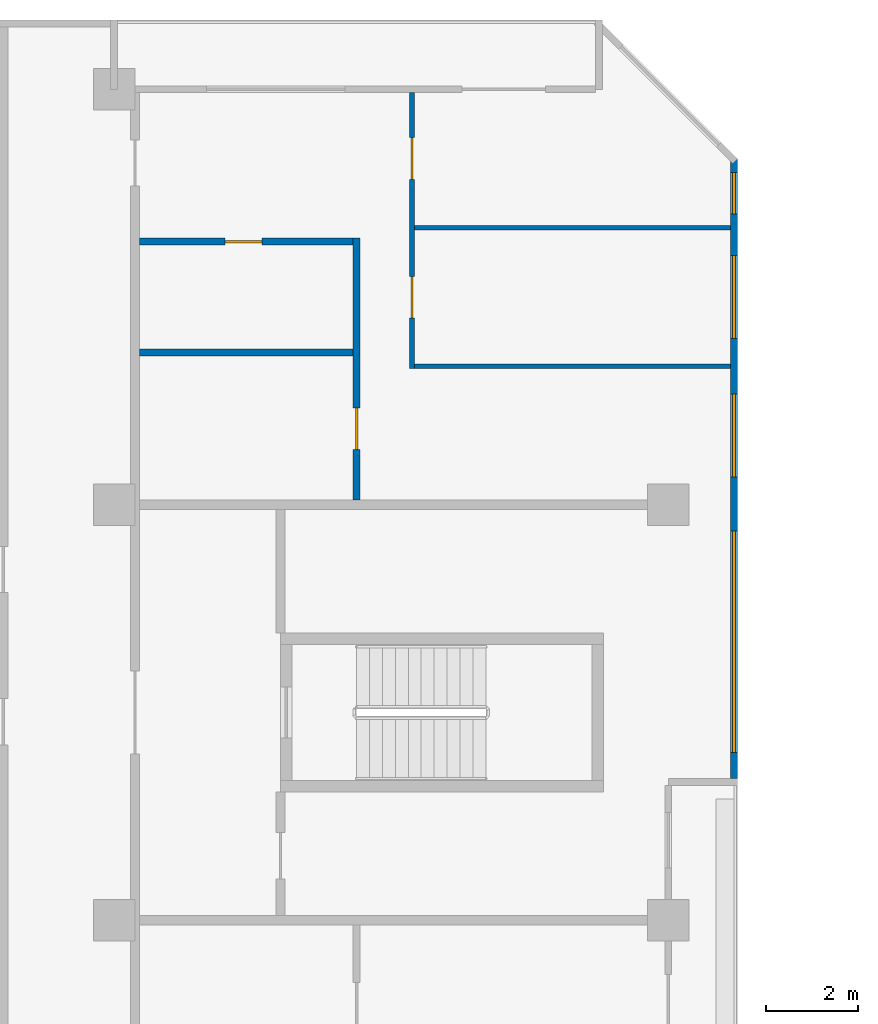
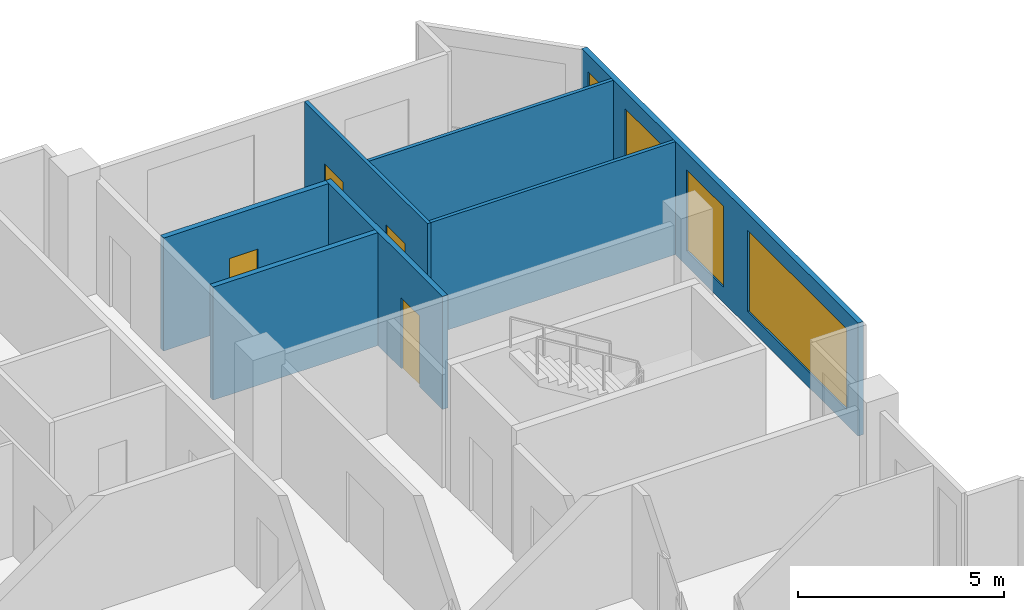
# One storey, part 11 of 14: 7 walls, 4 doors, 4 windows, 8 openings.
"""IFC4 building model written with IfcOpenShell, lengths in metres."""

from ifc_helpers import new_model, si_unit, direction, frame, frame_2d, origin, place, context, subcontext, project, spatial, rectangle, extrude, material, layer, layer_set, type_object, element, fill, save


model = new_model("IFC4")

# Units and contexts
model_context = context("Model", 3, precision=1e-05, world=origin(), true_north=direction((0.0, 1.0)))
body_context = subcontext(model_context, "Body", "Model", "MODEL_VIEW")
ifc_project = project(units=[si_unit("LENGTHUNIT", "METRE"), si_unit("AREAUNIT", "SQUARE_METRE"), si_unit("VOLUMEUNIT", "CUBIC_METRE"), si_unit("PLANEANGLEUNIT", "RADIAN"), si_unit("MASSUNIT", "GRAM", prefix="KILO")], contexts=[model_context])

# Site, building, storey
site_placement = place(None, origin())
site = spatial("IfcSite", under=ifc_project, at=site_placement, CompositionType="ELEMENT")
building_placement = place(site_placement, origin())
building = spatial("IfcBuilding", under=site, at=building_placement, Name="Chenar Terraces", CompositionType="ELEMENT")
storey_placement = place(building_placement, frame((0.0, 0.0, 168.64990234375)))
storey = spatial("IfcBuildingStorey", under=building, at=storey_placement, Name="L38", CompositionType="ELEMENT", Elevation=168.64990234375)

# Wall, openings, windows
ifc_material_1 = material(Name="Aluminium framed glazing", Category="aluminium")
ifc_layer_1 = layer(ifc_material_1, 0.14990234375)
ifc_layer_set_1 = layer_set([ifc_layer_1], Name="Aluminium framed glazing")
wall_type_1 = type_object("IfcWallType", Name="Glazed flush facade wall 150", PredefinedType="SOLIDWALL", material=ifc_layer_set_1)
wall_1_placement = place(storey_placement, frame((25.425048828125, 48.074951171875, 0.0), z_axis=(0.0, 0.0, 1.0), x_axis=(0.0, 1.0, 0.0)))
wall_1 = element("IfcWall", 1, at=wall_1_placement, inside=storey, type_object=wall_type_1, Name="Glazed flush facade wall", PredefinedType="SOLIDWALL", context=body_context, shape_type="SweptSolid", body=[
    extrude(rectangle(XDim=13.425048828125, YDim=0.14990234375, at=frame_2d((6.71240234375, 0.0))), origin(), (0.0, 0.0, 1.0), 3.35009765625),
])
opening_1_placement = place(wall_1_placement, frame((0.5625, 0.0, 0.449951171875)))
opening_1 = element("IfcOpeningElement", 2, at=opening_1_placement, cuts=wall_1, Name="Opening W480x240", PredefinedType="OPENING", context=body_context, shape_type="SweptSolid", body=[
    extrude(rectangle(XDim=4.800048828125, YDim=2.39990234375, at=frame_2d((2.39990234375, 1.199951171875))), frame((0.0, 0.0849609375, 0.0), z_axis=(0.0, -1.0, 0.0), x_axis=(1.0, 0.0, 0.0)), (0.0, 0.0, 1.0), 0.169921875),
])
opening_2_placement = place(wall_1_placement, frame((6.52490234375, 0.0, 0.449951171875)))
opening_2 = element("IfcOpeningElement", 3, at=opening_2_placement, cuts=wall_1, Name="Opening W180x240", PredefinedType="OPENING", context=body_context, shape_type="SweptSolid", body=[
    extrude(rectangle(XDim=1.800048828125, YDim=2.39990234375, at=frame_2d((0.89990234375, 1.199951171875))), frame((0.0, 0.0849609375, 0.0), z_axis=(0.0, -1.0, 0.0), x_axis=(1.0, 0.0, 0.0)), (0.0, 0.0, 1.0), 0.169921875),
])
opening_3_placement = place(wall_1_placement, frame((9.52490234375, 0.0, 0.449951171875)))
opening_3 = element("IfcOpeningElement", 4, at=opening_3_placement, cuts=wall_1, Name="Opening W180x240", PredefinedType="OPENING", context=body_context, shape_type="SweptSolid", body=[
    extrude(rectangle(XDim=1.800048828125, YDim=2.39990234375, at=frame_2d((0.89990234375, 1.199951171875))), frame((0.0, 0.0849609375, 0.0), z_axis=(0.0, -1.0, 0.0), x_axis=(1.0, 0.0, 0.0)), (0.0, 0.0, 1.0), 0.169921875),
])
opening_4_placement = place(wall_1_placement, frame((12.22509765625, 0.0, 0.449951171875)))
opening_4 = element("IfcOpeningElement", 5, at=opening_4_placement, cuts=wall_1, Name="Opening W90x240", PredefinedType="OPENING", context=body_context, shape_type="SweptSolid", body=[
    extrude(rectangle(XDim=0.89990234375, YDim=2.39990234375, at=frame_2d((0.449951171875, 1.199951171875))), frame((0.0, 0.0849609375, 0.0), z_axis=(0.0, -1.0, 0.0), x_axis=(1.0, 0.0, 0.0)), (0.0, 0.0, 1.0), 0.169921875),
])
ifc_material_2 = material(Name="Low emissivity double glazing, aluminium frame", Category="aluminium")
window_type_1 = type_object("IfcWindowType", Name="Fixed light 1800 x 2400", PartitioningType="SINGLE_PANEL", PredefinedType="WINDOW", material=ifc_material_2)
window_1_placement = place(opening_2_placement, origin())
window_1 = element("IfcWindow", 6, at=window_1_placement, inside=storey, type_object=window_type_1, Name="Window", OverallHeight=2.39990234375, OverallWidth=1.800048828125, PartitioningType="SINGLE_PANEL", PredefinedType="WINDOW", context=body_context, shape_type="SweptSolid", body=[
    extrude(rectangle(XDim=1.800048828125, YDim=2.39990234375, at=frame_2d((0.89990234375, 1.199951171875))), frame((0.0, 0.030029296875, 0.0), z_axis=(0.0, -1.0, 0.0), x_axis=(1.0, 0.0, 0.0)), (0.0, 0.0, 1.0), 0.06005859375),
])
fill(opening_2, window_1)
window_2_placement = place(opening_3_placement, origin())
window_2 = element("IfcWindow", 7, at=window_2_placement, inside=storey, type_object=window_type_1, Name="Window", OverallHeight=2.39990234375, OverallWidth=1.800048828125, PartitioningType="SINGLE_PANEL", PredefinedType="WINDOW", context=body_context, shape_type="SweptSolid", body=[
    extrude(rectangle(XDim=1.800048828125, YDim=2.39990234375, at=frame_2d((0.89990234375, 1.199951171875))), frame((0.0, 0.030029296875, 0.0), z_axis=(0.0, -1.0, 0.0), x_axis=(1.0, 0.0, 0.0)), (0.0, 0.0, 1.0), 0.06005859375),
])
fill(opening_3, window_2)
ifc_material_3 = material(Name="Low emissivity double glazing, aluminium frame", Category="aluminium")
window_type_2 = type_object("IfcWindowType", Name="Fixed light 4800 x 2400", PartitioningType="SINGLE_PANEL", PredefinedType="WINDOW", material=ifc_material_3)
window_3_placement = place(opening_1_placement, origin())
window_3 = element("IfcWindow", 8, at=window_3_placement, inside=storey, type_object=window_type_2, Name="Window", OverallHeight=2.39990234375, OverallWidth=4.800048828125, PartitioningType="SINGLE_PANEL", PredefinedType="WINDOW", context=body_context, shape_type="SweptSolid", body=[
    extrude(rectangle(XDim=4.800048828125, YDim=2.39990234375, at=frame_2d((2.39990234375, 1.199951171875))), frame((0.0, 0.030029296875, 0.0), z_axis=(0.0, -1.0, 0.0), x_axis=(1.0, 0.0, 0.0)), (0.0, 0.0, 1.0), 0.06005859375),
])
fill(opening_1, window_3)
ifc_material_4 = material(Name="Low emissivity double glazing, aluminium frame", Category="aluminium")
window_type_3 = type_object("IfcWindowType", Name="Fixed light 900 x 2400", PartitioningType="SINGLE_PANEL", PredefinedType="WINDOW", material=ifc_material_4)
window_4_placement = place(opening_4_placement, origin())
window_4 = element("IfcWindow", 9, at=window_4_placement, inside=storey, type_object=window_type_3, Name="Window", OverallHeight=2.39990234375, OverallWidth=0.89990234375, PartitioningType="SINGLE_PANEL", PredefinedType="WINDOW", context=body_context, shape_type="SweptSolid", body=[
    extrude(rectangle(XDim=0.89990234375, YDim=2.39990234375, at=frame_2d((0.449951171875, 1.199951171875))), frame((0.0, 0.030029296875, 0.0), z_axis=(0.0, -1.0, 0.0), x_axis=(1.0, 0.0, 0.0)), (0.0, 0.0, 1.0), 0.06005859375),
])
fill(opening_4, window_4)

# Wall, openings, doors
ifc_material_5 = material(Name="Gypsum board on steel studs", Category="steel")
ifc_layer_2 = layer(ifc_material_5, 0.10009765625)
ifc_layer_set_2 = layer_set([ifc_layer_2], Name="Gypsum board on steel studs")
wall_type_2 = type_object("IfcWallType", Name="Gypsum partition 100", PredefinedType="PARTITIONING", material=ifc_layer_set_2)
wall_2_placement = place(storey_placement, frame((18.449951171875, 56.949951171875, 0.0), z_axis=(0.0, 0.0, 1.0), x_axis=(0.0, 1.0, 0.0)))
wall_2 = element("IfcWall", 10, at=wall_2_placement, inside=storey, type_object=wall_type_2, Name="Partition L38-048", PredefinedType="PARTITIONING", context=body_context, shape_type="SweptSolid", body=[
    extrude(rectangle(XDim=5.97607421875, YDim=0.10009765625, at=frame_2d((2.988037109375, 0.0))), origin(), (0.0, 0.0, 1.0), 3.35009765625),
])
opening_5_placement = place(wall_2_placement, frame((1.10009765625, 0.0, 0.0)))
opening_5 = element("IfcOpeningElement", 11, at=opening_5_placement, cuts=wall_2, Name="Opening DL38-23", PredefinedType="OPENING", context=body_context, shape_type="SweptSolid", body=[
    extrude(rectangle(XDim=0.89990234375, YDim=2.10009765625, at=frame_2d((0.449951171875, 1.050048828125))), frame((0.0, 0.06005859375, 0.0), z_axis=(0.0, -1.0, 0.0), x_axis=(1.0, 0.0, 0.0)), (0.0, 0.0, 1.0), 0.1201171875),
])
opening_6_placement = place(wall_2_placement, frame((4.10009765625, 0.0, 0.0)))
opening_6 = element("IfcOpeningElement", 12, at=opening_6_placement, cuts=wall_2, Name="Opening DL38-24", PredefinedType="OPENING", context=body_context, shape_type="SweptSolid", body=[
    extrude(rectangle(XDim=0.89990234375, YDim=2.10009765625, at=frame_2d((0.449951171875, 1.050048828125))), frame((0.0, 0.06005859375, 0.0), z_axis=(0.0, -1.0, 0.0), x_axis=(1.0, 0.0, 0.0)), (0.0, 0.0, 1.0), 0.1201171875),
])
ifc_material_6 = material(Name="Veneered timber door leaf", Category="wood")
door_type_1 = type_object("IfcDoorType", Name="Door 900 x 2100", OperationType="SINGLE_SWING_LEFT", PredefinedType="DOOR", material=ifc_material_6)
door_1_placement = place(opening_5_placement, frame((0.89990234375, 0.0, 0.0), z_axis=(0.0, 0.0, 1.0), x_axis=(-1.0, 0.0, 0.0)))
door_1 = element("IfcDoor", 13, at=door_1_placement, inside=storey, type_object=door_type_1, Name="Door DL38-23", OperationType="SINGLE_SWING_RIGHT", OverallHeight=2.10009765625, OverallWidth=0.89990234375, PredefinedType="DOOR", context=body_context, shape_type="SweptSolid", body=[
    extrude(rectangle(XDim=0.89990234375, YDim=2.10009765625, at=frame_2d((0.449951171875, 1.050048828125))), frame((0.0, 0.02490234375, 0.0), z_axis=(0.0, -1.0, 0.0), x_axis=(1.0, 0.0, 0.0)), (0.0, 0.0, 1.0), 0.050048828125),
])
fill(opening_5, door_1)
door_2_placement = place(opening_6_placement, frame((0.89990234375, 0.0, 0.0), z_axis=(0.0, 0.0, 1.0), x_axis=(-1.0, 0.0, 0.0)))
door_2 = element("IfcDoor", 14, at=door_2_placement, inside=storey, type_object=door_type_1, Name="Door DL38-24", OperationType="SINGLE_SWING_RIGHT", OverallHeight=2.10009765625, OverallWidth=0.89990234375, PredefinedType="DOOR", context=body_context, shape_type="SweptSolid", body=[
    extrude(rectangle(XDim=0.89990234375, YDim=2.10009765625, at=frame_2d((0.449951171875, 1.050048828125))), frame((0.0, 0.02490234375, 0.0), z_axis=(0.0, -1.0, 0.0), x_axis=(1.0, 0.0, 0.0)), (0.0, 0.0, 1.0), 0.050048828125),
])
fill(opening_6, door_2)

# Walls
wall_3_placement = place(storey_placement, frame((18.5, 57.0, 0.0), z_axis=(0.0, 0.0, 1.0), x_axis=(1.0, 0.0, 0.0)))
element("IfcWall", 15, at=wall_3_placement, inside=storey, type_object=wall_type_2, Name="Partition L38-051", PredefinedType="PARTITIONING", context=body_context, shape_type="SweptSolid", body=[
    extrude(rectangle(XDim=6.85009765625, YDim=0.10009765625, at=frame_2d((3.425048828125, 0.0))), origin(), (0.0, 0.0, 1.0), 3.35009765625),
])
wall_4_placement = place(storey_placement, frame((18.5, 60.0, 0.0), z_axis=(0.0, 0.0, 1.0), x_axis=(1.0, 0.0, 0.0)))
element("IfcWall", 16, at=wall_4_placement, inside=storey, type_object=wall_type_2, Name="Partition L38-052", PredefinedType="PARTITIONING", context=body_context, shape_type="SweptSolid", body=[
    extrude(rectangle(XDim=6.85107421875, YDim=0.10009765625, at=frame_2d((3.425537109375, 0.0))), origin(), (0.0, 0.0, 1.0), 3.35009765625),
])
ifc_material_7 = material(Name="Moisture-resistant gypsum board on steel studs", Category="steel")
ifc_layer_3 = layer(ifc_material_7, 0.14990234375)
ifc_layer_set_3 = layer_set([ifc_layer_3], Name="Moisture-resistant gypsum board on steel studs")
wall_type_3 = type_object("IfcWallType", Name="Wet-room partition 150", PredefinedType="PARTITIONING", material=ifc_layer_set_3)
wall_5_placement = place(storey_placement, frame((12.550048828125, 57.300048828125, 0.0), z_axis=(0.0, 0.0, 1.0), x_axis=(1.0, 0.0, 0.0)))
element("IfcWall", 17, at=wall_5_placement, inside=storey, type_object=wall_type_3, Name="Partition L38-039", PredefinedType="PARTITIONING", context=body_context, shape_type="SweptSolid", body=[
    extrude(rectangle(XDim=4.625, YDim=0.14990234375, at=frame_2d((2.3125, 0.0))), origin(), (0.0, 0.0, 1.0), 3.35009765625),
])

# Wall, opening, door
wall_6_placement = place(storey_placement, frame((12.550048828125, 59.699951171875, 0.0), z_axis=(0.0, 0.0, 1.0), x_axis=(1.0, 0.0, 0.0)))
wall_6 = element("IfcWall", 18, at=wall_6_placement, inside=storey, type_object=wall_type_3, Name="Partition L38-040", PredefinedType="PARTITIONING", context=body_context, shape_type="SweptSolid", body=[
    extrude(rectangle(XDim=4.625, YDim=0.14990234375, at=frame_2d((2.3125, 0.0))), origin(), (0.0, 0.0, 1.0), 3.35009765625),
])
opening_7_placement = place(wall_6_placement, frame((1.85009765625, 0.0, 0.0)))
opening_7 = element("IfcOpeningElement", 19, at=opening_7_placement, cuts=wall_6, Name="Opening DL38-22", PredefinedType="OPENING", context=body_context, shape_type="SweptSolid", body=[
    extrude(rectangle(XDim=0.800048828125, YDim=2.10009765625, at=frame_2d((0.39990234375, 1.050048828125))), frame((0.0, 0.0849609375, 0.0), z_axis=(0.0, -1.0, 0.0), x_axis=(1.0, 0.0, 0.0)), (0.0, 0.0, 1.0), 0.169921875),
])
ifc_material_8 = material(Name="Veneered timber door leaf", Category="wood")
door_type_2 = type_object("IfcDoorType", Name="Door 800 x 2100", OperationType="SINGLE_SWING_LEFT", PredefinedType="DOOR", material=ifc_material_8)
door_3_placement = place(opening_7_placement, frame((0.800048828125, 0.0, 0.0), z_axis=(0.0, 0.0, 1.0), x_axis=(-1.0, 0.0, 0.0)))
door_3 = element("IfcDoor", 20, at=door_3_placement, inside=storey, type_object=door_type_2, Name="Door DL38-22", OperationType="SINGLE_SWING_LEFT", OverallHeight=2.10009765625, OverallWidth=0.800048828125, PredefinedType="DOOR", context=body_context, shape_type="SweptSolid", body=[
    extrude(rectangle(XDim=0.800048828125, YDim=2.10009765625, at=frame_2d((0.39990234375, 1.050048828125))), frame((0.0, 0.02490234375, 0.0), z_axis=(0.0, -1.0, 0.0), x_axis=(1.0, 0.0, 0.0)), (0.0, 0.0, 1.0), 0.050048828125),
])
fill(opening_7, door_3)

wall_7_placement = place(storey_placement, frame((17.25, 54.10009765625, 0.0), z_axis=(0.0, 0.0, 1.0), x_axis=(0.0, 1.0, 0.0)))
wall_7 = element("IfcWall", 21, at=wall_7_placement, inside=storey, type_object=wall_type_3, Name="Partition L38-045", PredefinedType="PARTITIONING", context=body_context, shape_type="SweptSolid", body=[
    extrude(rectangle(XDim=5.6748046875, YDim=0.14990234375, at=frame_2d((2.83740234375, 0.0))), origin(), (0.0, 0.0, 1.0), 3.35009765625),
])
opening_8_placement = place(wall_7_placement, frame((1.10009765625, 0.0, 0.0)))
opening_8 = element("IfcOpeningElement", 22, at=opening_8_placement, cuts=wall_7, Name="Opening DL38-25", PredefinedType="OPENING", context=body_context, shape_type="SweptSolid", body=[
    extrude(rectangle(XDim=0.89990234375, YDim=2.10009765625, at=frame_2d((0.449951171875, 1.050048828125))), frame((0.0, 0.0849609375, 0.0), z_axis=(0.0, -1.0, 0.0), x_axis=(1.0, 0.0, 0.0)), (0.0, 0.0, 1.0), 0.169921875),
])
door_4_placement = place(opening_8_placement, origin())
door_4 = element("IfcDoor", 23, at=door_4_placement, inside=storey, type_object=door_type_1, Name="Door DL38-25", OperationType="SINGLE_SWING_LEFT", OverallHeight=2.10009765625, OverallWidth=0.89990234375, PredefinedType="DOOR", context=body_context, shape_type="SweptSolid", body=[
    extrude(rectangle(XDim=0.89990234375, YDim=2.10009765625, at=frame_2d((0.449951171875, 1.050048828125))), frame((0.0, 0.02490234375, 0.0), z_axis=(0.0, -1.0, 0.0), x_axis=(1.0, 0.0, 0.0)), (0.0, 0.0, 1.0), 0.050048828125),
])
fill(opening_8, door_4)

save(model, "model.ifc")
